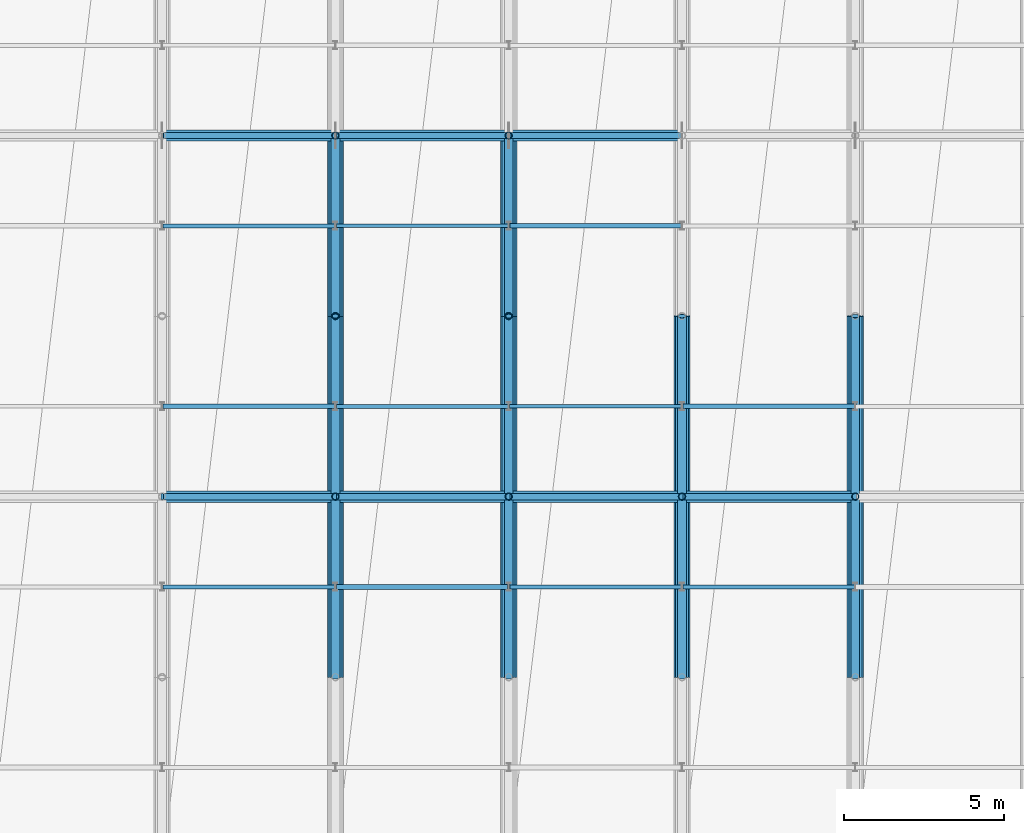
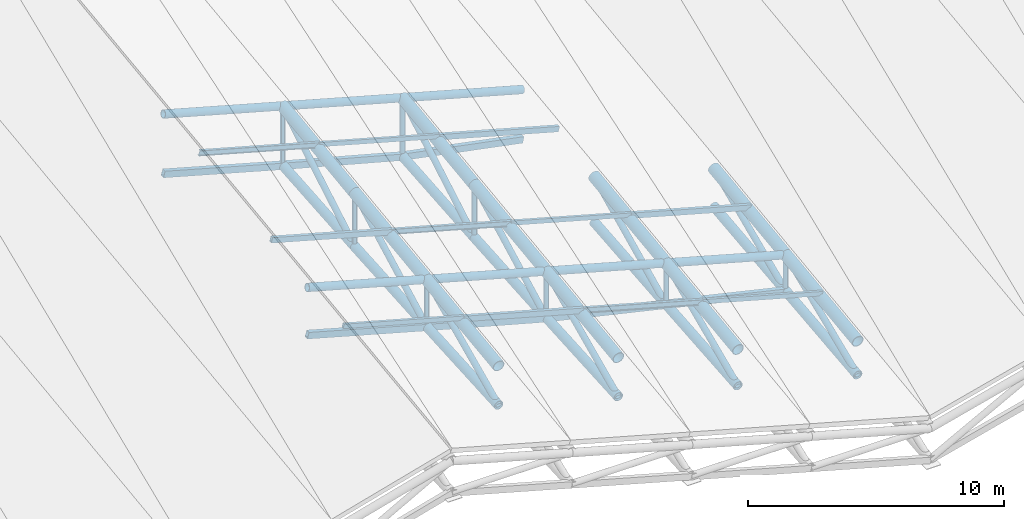
# One storey, part 5 of 109: 43 members, 20 beams.
"""IFC4 building model written with IfcOpenShell, lengths in metres."""

from ifc_helpers import new_model, si_unit, direction, frame, origin, origin_2d, place, context, subcontext, project, spatial, hollow_rectangle, hollow_circle, i_section, extrude, material, material_profile, profile_set, type_object, element, save


model = new_model("IFC4")

# Units and contexts
model_context = context("Model", 3, precision=1e-05, world=origin(), true_north=direction((0.0, 1.0)))
body_context = subcontext(model_context, "Body", "Model", "MODEL_VIEW")
ifc_project = project(units=[si_unit("LENGTHUNIT", "METRE"), si_unit("AREAUNIT", "SQUARE_METRE"), si_unit("VOLUMEUNIT", "CUBIC_METRE"), si_unit("PLANEANGLEUNIT", "RADIAN"), si_unit("MASSUNIT", "GRAM", prefix="KILO")], contexts=[model_context])

# Site, building, storey
site_placement = place(None, origin())
site = spatial("IfcSite", under=ifc_project, at=site_placement, CompositionType="ELEMENT")
building_placement = place(site_placement, origin())
building = spatial("IfcBuilding", under=site, at=building_placement, Name="Suirenkawa Promenade Aquatics Centre", CompositionType="ELEMENT")
storey_placement = place(building_placement, frame((0.0, 0.0, 22.800048828125)))
storey = spatial("IfcBuildingStorey", under=building, at=storey_placement, Name="ROOF", CompositionType="ELEMENT", Elevation=22.800048828125)

# Beams
ifc_material = material(Name="Steel IS 2062 E350 (Grade 350)", Category="steel")
ifc_material_profile_1 = material_profile(ifc_material, hollow_circle(Radius=0.202880859375, WallThickness=0.01806640625, at=origin_2d()), Name="CHS 406x18", Category="steel")
ifc_profile_set_1 = profile_set([ifc_material_profile_1], Name="Steel IS 2062 E350 (Grade 350)")
beam_type_1 = type_object("IfcBeamType", Name="BT-BC-CHS406", PredefinedType="BEAM", material=ifc_profile_set_1)
beam_1_placement = place(storey_placement, frame((73.800048828125, 56.02490234375, -11.649169921875), z_axis=(0.0, 0.998011917431, 0.063025492182), x_axis=(-1.0, 0.0, 0.0)))
element("IfcBeam", 1, at=beam_1_placement, inside=storey, type_object=beam_type_1, Name="ROOF TRUSS V1 bottom chord BC-01 BM-1950", PredefinedType="BEAM", context=body_context, shape_type="SweptSolid", body=[
    extrude(hollow_circle(Radius=0.202880859375, WallThickness=0.01806640625, at=origin_2d()), origin(), (0.0, 0.0, 1.0), 5.63623046875),
])
beam_2_placement = place(storey_placement, frame((73.800048828125, 61.64990234375, -11.2939453125), z_axis=(0.0, 0.997470114587, 0.071087062854), x_axis=(-1.0, 0.0, 0.0)))
element("IfcBeam", 2, at=beam_2_placement, inside=storey, type_object=beam_type_1, Name="ROOF TRUSS V1 bottom chord BC-01 BM-1952", PredefinedType="BEAM", context=body_context, shape_type="SweptSolid", body=[
    extrude(hollow_circle(Radius=0.202880859375, WallThickness=0.01806640625, at=origin_2d()), origin(), (0.0, 0.0, 1.0), 5.63916015625),
])
beam_3_placement = place(storey_placement, frame((73.800048828125, 67.27490234375, -10.89306640625), z_axis=(0.0, 0.996585022784, 0.082572951758), x_axis=(-1.0, 0.0, 0.0)))
element("IfcBeam", 3, at=beam_3_placement, inside=storey, type_object=beam_type_1, Name="ROOF TRUSS V1 bottom chord BC-01 BM-1954", PredefinedType="BEAM", context=body_context, shape_type="SweptSolid", body=[
    extrude(hollow_circle(Radius=0.202880859375, WallThickness=0.01806640625, at=origin_2d()), origin(), (0.0, 0.0, 1.0), 5.644287109375),
])
beam_4_placement = place(storey_placement, frame((79.199951171875, 56.02490234375, -13.135009765625), z_axis=(0.0, 0.997879005221, 0.065096013231), x_axis=(-1.0, 0.0, 0.0)))
element("IfcBeam", 4, at=beam_4_placement, inside=storey, type_object=beam_type_1, Name="ROOF TRUSS V1 bottom chord BC-01 BM-1978", PredefinedType="BEAM", context=body_context, shape_type="SweptSolid", body=[
    extrude(hollow_circle(Radius=0.202880859375, WallThickness=0.01806640625, at=origin_2d()), origin(), (0.0, 0.0, 1.0), 5.636962890625),
])
beam_5_placement = place(storey_placement, frame((79.199951171875, 61.64990234375, -12.76806640625), z_axis=(0.0, 0.997326957355, 0.07306805139), x_axis=(-1.0, 0.0, 0.0)))
element("IfcBeam", 5, at=beam_5_placement, inside=storey, type_object=beam_type_1, Name="ROOF TRUSS V1 bottom chord BC-01 BM-1980", PredefinedType="BEAM", context=body_context, shape_type="SweptSolid", body=[
    extrude(hollow_circle(Radius=0.202880859375, WallThickness=0.01806640625, at=origin_2d()), origin(), (0.0, 0.0, 1.0), 5.64013671875),
])
beam_6_placement = place(storey_placement, frame((79.199951171875, 67.27490234375, -12.35595703125), z_axis=(0.0, 0.996455699182, 0.084119198564), x_axis=(-1.0, 0.0, 0.0)))
element("IfcBeam", 6, at=beam_6_placement, inside=storey, type_object=beam_type_1, Name="ROOF TRUSS V1 bottom chord BC-01 BM-1982", PredefinedType="BEAM", context=body_context, shape_type="SweptSolid", body=[
    extrude(hollow_circle(Radius=0.202880859375, WallThickness=0.01806640625, at=origin_2d()), origin(), (0.0, 0.0, 1.0), 5.64501953125),
])
beam_7_placement = place(storey_placement, frame((84.60009765625, 56.02490234375, -14.508056640625), z_axis=(0.0, 0.996257281682, 0.086437426479), x_axis=(-1.0, 0.0, 0.0)))
element("IfcBeam", 7, at=beam_7_placement, inside=storey, type_object=beam_type_1, Name="ROOF TRUSS V1 bottom chord BC-01 BM-2006", PredefinedType="BEAM", context=body_context, shape_type="SweptSolid", body=[
    extrude(hollow_circle(Radius=0.202880859375, WallThickness=0.01806640625, at=origin_2d()), origin(), (0.0, 0.0, 1.0), 5.646240234375),
])
beam_8_placement = place(storey_placement, frame((84.60009765625, 61.64990234375, -14.02001953125), z_axis=(0.0, 0.99580129814, 0.091541108918), x_axis=(-1.0, 0.0, 0.0)))
element("IfcBeam", 8, at=beam_8_placement, inside=storey, type_object=beam_type_1, Name="ROOF TRUSS V1 bottom chord BC-01 BM-2008", PredefinedType="BEAM", context=body_context, shape_type="SweptSolid", body=[
    extrude(hollow_circle(Radius=0.202880859375, WallThickness=0.01806640625, at=origin_2d()), origin(), (0.0, 0.0, 1.0), 5.648681640625),
])
beam_9_placement = place(storey_placement, frame((90.0, 56.02490234375, -15.880126953125), z_axis=(0.0, 0.99422460669, 0.107319296738), x_axis=(-1.0, 0.0, 0.0)))
element("IfcBeam", 9, at=beam_9_placement, inside=storey, type_object=beam_type_1, Name="ROOF TRUSS V1 bottom chord BC-01 BM-2034", PredefinedType="BEAM", context=body_context, shape_type="SweptSolid", body=[
    extrude(hollow_circle(Radius=0.202880859375, WallThickness=0.01806640625, at=origin_2d()), origin(), (0.0, 0.0, 1.0), 5.65771484375),
])
beam_10_placement = place(storey_placement, frame((90.0, 61.64990234375, -15.27294921875), z_axis=(0.0, 0.993945133668, 0.109877528448), x_axis=(-1.0, 0.0, 0.0)))
element("IfcBeam", 10, at=beam_10_placement, inside=storey, type_object=beam_type_1, Name="ROOF TRUSS V1 bottom chord BC-01 BM-2036", PredefinedType="BEAM", context=body_context, shape_type="SweptSolid", body=[
    extrude(hollow_circle(Radius=0.202880859375, WallThickness=0.01806640625, at=origin_2d()), origin(), (0.0, 0.0, 1.0), 5.6591796875),
])
ifc_material_profile_2 = material_profile(ifc_material, hollow_circle(Radius=0.25390625, WallThickness=0.02392578125, at=origin_2d()), Name="CHS 508x24", Category="steel")
ifc_profile_set_2 = profile_set([ifc_material_profile_2], Name="Steel IS 2062 E350 (Grade 350)")
beam_type_2 = type_object("IfcBeamType", Name="BT-TC-CHS508", PredefinedType="BEAM", material=ifc_profile_set_2)
for number, where, z_axis, x_axis, name in (
    (11, (73.800048828125, 56.02490234375, -9.775146484375), (0.0, 0.991793720609, 0.127848409297), (-1.0, 0.0, 0.0), "ROOF TRUSS V1 top chord TC-02 BM-1949"),
    (12, (73.800048828125, 61.64990234375, -9.050048828125), (0.0, 0.991793720609, 0.127848409297), (-1.0, 0.0, 0.0), "ROOF TRUSS V1 top chord TC-02 BM-1951"),
    (13, (73.800048828125, 67.27490234375, -8.324951171875), (0.0, 0.991799178012, 0.127806065951), (-1.0, 0.0, 0.0), "ROOF TRUSS V1 top chord TC-02 BM-1953"),
    (14, (79.199951171875, 56.02490234375, -11.275146484375), (0.0, 0.991793720609, 0.127848409297), (-1.0, 0.0, 0.0), "ROOF TRUSS V1 top chord TC-02 BM-1977"),
    (15, (79.199951171875, 61.64990234375, -10.550048828125), (0.0, 0.991793720609, 0.127848409297), (-1.0, 0.0, 0.0), "ROOF TRUSS V1 top chord TC-02 BM-1979"),
    (16, (79.199951171875, 67.27490234375, -9.824951171875), (0.0, 0.991799178012, 0.127806065951), (-1.0, 0.0, 0.0), "ROOF TRUSS V1 top chord TC-02 BM-1981"),
    (17, (84.60009765625, 56.02490234375, -12.775146484375), (0.0, 0.991793720609, 0.127848409297), (-1.0, 0.0, 0.0), "ROOF TRUSS V1 top chord TC-02 BM-2005"),
    (18, (84.60009765625, 61.64990234375, -12.050048828125), (0.0, 0.991793720609, 0.127848409297), (-1.0, 0.0, 0.0), "ROOF TRUSS V1 top chord TC-02 BM-2007"),
    (19, (90.0, 56.02490234375, -14.275146484375), (0.0, 0.991793720609, 0.127848409297), (-1.0, 0.0, 0.0), "ROOF TRUSS V1 top chord TC-02 BM-2033"),
    (20, (90.0, 61.64990234375, -13.550048828125), (0.0, 0.991793720609, 0.127848409297), (-1.0, 0.0, 0.0), "ROOF TRUSS V1 top chord TC-02 BM-2035"),
):
    element("IfcBeam", number, at=place(storey_placement, frame(where, z_axis=z_axis, x_axis=x_axis)), inside=storey, type_object=beam_type_2, Name=name, PredefinedType="BEAM", context=body_context, shape_type="SweptSolid", body=[
        extrude(hollow_circle(Radius=0.25390625, WallThickness=0.02392578125, at=origin_2d()), origin(), (0.0, 0.0, 1.0), 5.671630859375),
    ])

# Members
ifc_material_profile_3 = material_profile(ifc_material, hollow_circle(Radius=0.177978515625, WallThickness=0.01611328125, at=origin_2d()), Name="CHS 356x16", Category="steel")
ifc_profile_set_3 = profile_set([ifc_material_profile_3], Name="Steel IS 2062 E350 (Grade 350)")
member_type_1 = type_object("IfcMemberType", Name="MT-CHORD-CHS356", PredefinedType="CHORD", material=ifc_profile_set_3)
member_1_placement = place(storey_placement, frame((68.39990234375, 61.64990234375, -7.550048828125), z_axis=(0.963519781844, 0.0, -0.267637123724), x_axis=(0.0, 1.0, 0.0)))
element("IfcMember", 21, at=member_1_placement, inside=storey, type_object=member_type_1, Name="ROOF TRUSS V1 tie chord CH-02 MB-0696", PredefinedType="CHORD", context=body_context, shape_type="SweptSolid", body=[
    extrude(hollow_circle(Radius=0.177978515625, WallThickness=0.01611328125, at=origin_2d()), origin(), (0.0, 0.0, 1.0), 5.6044921875),
])
member_2_placement = place(storey_placement, frame((73.800048828125, 61.64990234375, -9.050048828125), z_axis=(0.963516661409, 0.0, -0.267648357342), x_axis=(0.0, 1.0, 0.0)))
element("IfcMember", 22, at=member_2_placement, inside=storey, type_object=member_type_1, Name="ROOF TRUSS V1 tie chord CH-02 MB-0698", PredefinedType="CHORD", context=body_context, shape_type="SweptSolid", body=[
    extrude(hollow_circle(Radius=0.177978515625, WallThickness=0.01611328125, at=origin_2d()), origin(), (0.0, 0.0, 1.0), 5.604248046875),
])
member_3_placement = place(storey_placement, frame((79.199951171875, 61.64990234375, -10.550048828125), z_axis=(0.963519781844, 0.0, -0.267637123724), x_axis=(0.0, 1.0, 0.0)))
element("IfcMember", 23, at=member_3_placement, inside=storey, type_object=member_type_1, Name="ROOF TRUSS V1 tie chord CH-02 MB-0700", PredefinedType="CHORD", context=body_context, shape_type="SweptSolid", body=[
    extrude(hollow_circle(Radius=0.177978515625, WallThickness=0.01611328125, at=origin_2d()), origin(), (0.0, 0.0, 1.0), 5.6044921875),
])
member_4_placement = place(storey_placement, frame((84.60009765625, 61.64990234375, -12.050048828125), z_axis=(0.963516661409, 0.0, -0.267648357342), x_axis=(0.0, 1.0, 0.0)))
element("IfcMember", 24, at=member_4_placement, inside=storey, type_object=member_type_1, Name="ROOF TRUSS V1 tie chord CH-02 MB-0702", PredefinedType="CHORD", context=body_context, shape_type="SweptSolid", body=[
    extrude(hollow_circle(Radius=0.177978515625, WallThickness=0.01611328125, at=origin_2d()), origin(), (0.0, 0.0, 1.0), 5.604248046875),
])
member_5_placement = place(storey_placement, frame((68.39990234375, 72.89990234375, -6.10009765625), z_axis=(0.963519781844, 0.0, -0.267637123724), x_axis=(0.0, 1.0, 0.0)))
element("IfcMember", 25, at=member_5_placement, inside=storey, type_object=member_type_1, Name="ROOF TRUSS V1 tie chord CH-02 MB-0736", PredefinedType="CHORD", context=body_context, shape_type="SweptSolid", body=[
    extrude(hollow_circle(Radius=0.177978515625, WallThickness=0.01611328125, at=origin_2d()), origin(), (0.0, 0.0, 1.0), 5.6044921875),
])
member_6_placement = place(storey_placement, frame((73.800048828125, 72.89990234375, -7.60009765625), z_axis=(0.963516661409, 0.0, -0.267648357342), x_axis=(0.0, 1.0, 0.0)))
element("IfcMember", 26, at=member_6_placement, inside=storey, type_object=member_type_1, Name="ROOF TRUSS V1 tie chord CH-02 MB-0738", PredefinedType="CHORD", context=body_context, shape_type="SweptSolid", body=[
    extrude(hollow_circle(Radius=0.177978515625, WallThickness=0.01611328125, at=origin_2d()), origin(), (0.0, 0.0, 1.0), 5.604248046875),
])
member_7_placement = place(storey_placement, frame((79.199951171875, 72.89990234375, -9.10009765625), z_axis=(0.963519781844, 0.0, -0.267637123724), x_axis=(0.0, 1.0, 0.0)))
element("IfcMember", 27, at=member_7_placement, inside=storey, type_object=member_type_1, Name="ROOF TRUSS V1 tie chord CH-02 MB-0740", PredefinedType="CHORD", context=body_context, shape_type="SweptSolid", body=[
    extrude(hollow_circle(Radius=0.177978515625, WallThickness=0.01611328125, at=origin_2d()), origin(), (0.0, 0.0, 1.0), 5.6044921875),
])
ifc_material_profile_4 = material_profile(ifc_material, hollow_rectangle(XDim=0.199951171875, YDim=0.300048828125, WallThickness=0.011962890625, at=origin_2d()), Name="RHS 300x200x12", Category="steel")
ifc_profile_set_4 = profile_set([ifc_material_profile_4], Name="Steel IS 2062 E350 (Grade 350)")
member_type_2 = type_object("IfcMemberType", Name="MT-CHORD-RHS300", PredefinedType="CHORD", material=ifc_profile_set_4)
member_8_placement = place(storey_placement, frame((68.39990234375, 61.64990234375, -9.7939453125), z_axis=(0.963519781844, 0.0, -0.267637123724), x_axis=(0.0, 1.0, 0.0)))
element("IfcMember", 28, at=member_8_placement, inside=storey, type_object=member_type_2, Name="ROOF TRUSS V1 bottom tie CH-03 MB-0697", PredefinedType="CHORD", context=body_context, shape_type="SweptSolid", body=[
    extrude(hollow_rectangle(XDim=0.199951171875, YDim=0.300048828125, WallThickness=0.011962890625, at=origin_2d()), origin(), (0.0, 0.0, 1.0), 5.6044921875),
])
member_9_placement = place(storey_placement, frame((73.800048828125, 61.64990234375, -11.2939453125), z_axis=(0.964699374801, 0.0, -0.26335359549), x_axis=(0.0, 1.0, 0.0)))
element("IfcMember", 29, at=member_9_placement, inside=storey, type_object=member_type_2, Name="ROOF TRUSS V1 bottom tie CH-03 MB-0699", PredefinedType="CHORD", context=body_context, shape_type="SweptSolid", body=[
    extrude(hollow_rectangle(XDim=0.199951171875, YDim=0.300048828125, WallThickness=0.011962890625, at=origin_2d()), origin(), (0.0, 0.0, 1.0), 5.597412109375),
])
for number, where, z_axis, x_axis, name in (
    (30, (79.199951171875, 61.64990234375, -12.76806640625), (0.974162815598, 0.0, -0.225846870039), (0.0, 1.0, 0.0), "ROOF TRUSS V1 bottom tie CH-03 MB-0701"),
    (31, (84.60009765625, 61.64990234375, -14.02001953125), (0.974121794056, 0.0, -0.226023738453), (0.0, 1.0, 0.0), "ROOF TRUSS V1 bottom tie CH-03 MB-0703"),
):
    element("IfcMember", number, at=place(storey_placement, frame(where, z_axis=z_axis, x_axis=x_axis)), inside=storey, type_object=member_type_2, Name=name, PredefinedType="CHORD", context=body_context, shape_type="SweptSolid", body=[
        extrude(hollow_rectangle(XDim=0.199951171875, YDim=0.300048828125, WallThickness=0.011962890625, at=origin_2d()), origin(), (0.0, 0.0, 1.0), 5.54345703125),
    ])
member_10_placement = place(storey_placement, frame((68.39990234375, 72.89990234375, -8.927001953125), z_axis=(0.963519781844, 0.0, -0.267637123724), x_axis=(0.0, 1.0, 0.0)))
element("IfcMember", 32, at=member_10_placement, inside=storey, type_object=member_type_2, Name="ROOF TRUSS V1 bottom tie CH-03 MB-0737", PredefinedType="CHORD", context=body_context, shape_type="SweptSolid", body=[
    extrude(hollow_rectangle(XDim=0.199951171875, YDim=0.300048828125, WallThickness=0.011962890625, at=origin_2d()), origin(), (0.0, 0.0, 1.0), 5.6044921875),
])
member_11_placement = place(storey_placement, frame((73.800048828125, 72.89990234375, -10.427001953125), z_axis=(0.965603111934, 0.0, -0.260020441933), x_axis=(0.0, 1.0, 0.0)))
element("IfcMember", 33, at=member_11_placement, inside=storey, type_object=member_type_2, Name="ROOF TRUSS V1 bottom tie CH-03 MB-0739", PredefinedType="CHORD", context=body_context, shape_type="SweptSolid", body=[
    extrude(hollow_rectangle(XDim=0.199951171875, YDim=0.300048828125, WallThickness=0.011962890625, at=origin_2d()), origin(), (0.0, 0.0, 1.0), 5.59228515625),
])
member_12_placement = place(storey_placement, frame((79.199951171875, 72.89990234375, -11.881103515625), z_axis=(0.981137949397, 0.0, -0.193308883018), x_axis=(0.0, 1.0, 0.0)))
element("IfcMember", 34, at=member_12_placement, inside=storey, type_object=member_type_2, Name="ROOF TRUSS V1 bottom tie CH-03 MB-0741", PredefinedType="CHORD", context=body_context, shape_type="SweptSolid", body=[
    extrude(hollow_rectangle(XDim=0.199951171875, YDim=0.300048828125, WallThickness=0.011962890625, at=origin_2d()), origin(), (0.0, 0.0, 1.0), 5.50390625),
])
ifc_material_profile_5 = material_profile(ifc_material, i_section(OverallWidth=0.125, OverallDepth=0.25, WebThickness=0.007080078125, FlangeThickness=0.012939453125, at=origin_2d()), Name="ISMB 250", Category="steel")
ifc_profile_set_5 = profile_set([ifc_material_profile_5], Name="Steel IS 2062 E350 (Grade 350)")
member_type_3 = type_object("IfcMemberType", Name="MT-PURLIN-ISMB250", PredefinedType="PURLIN", material=ifc_profile_set_5)
for number, where, z_axis, x_axis, name in (
    (35, (68.39990234375, 70.087890625, -6.241943359375), (0.963564703019, 0.0, -0.267475350447), (0.0, 1.0, 0.0), "ROOF TRUSS Roof purlin PU-04 MB-1839"),
    (36, (73.800048828125, 64.462890625, -8.466064453125), (0.963516661409, 0.0, -0.267648357342), (0.0, 1.0, 0.0), "ROOF TRUSS Roof purlin PU-04 MB-1873"),
):
    element("IfcMember", number, at=place(storey_placement, frame(where, z_axis=z_axis, x_axis=x_axis)), inside=storey, type_object=member_type_3, Name=name, PredefinedType="PURLIN", context=body_context, shape_type="SweptSolid", body=[
        extrude(i_section(OverallWidth=0.125, OverallDepth=0.25, WebThickness=0.007080078125, FlangeThickness=0.012939453125, at=origin_2d()), origin(), (0.0, 0.0, 1.0), 5.604248046875),
    ])
member_13_placement = place(storey_placement, frame((79.199951171875, 58.8369140625, -10.692138671875), z_axis=(0.963519781844, 0.0, -0.267637123724), x_axis=(0.0, 1.0, 0.0)))
element("IfcMember", 37, at=member_13_placement, inside=storey, type_object=member_type_3, Name="ROOF TRUSS Roof purlin PU-04 MB-1907", PredefinedType="PURLIN", context=body_context, shape_type="SweptSolid", body=[
    extrude(i_section(OverallWidth=0.125, OverallDepth=0.25, WebThickness=0.007080078125, FlangeThickness=0.012939453125, at=origin_2d()), origin(), (0.0, 0.0, 1.0), 5.6044921875),
])
ifc_material_profile_6 = material_profile(ifc_material, hollow_rectangle(XDim=0.1201171875, YDim=0.199951171875, WallThickness=0.008056640625, at=origin_2d()), Name="RHS 200x120x8", Category="steel")
ifc_profile_set_6 = profile_set([ifc_material_profile_6], Name="Steel IS 2062 E350 (Grade 350)")
member_type_4 = type_object("IfcMemberType", Name="MT-PURLIN-RHS200", PredefinedType="PURLIN", material=ifc_profile_set_6)
member_14_placement = place(storey_placement, frame((68.39990234375, 58.8369140625, -7.666015625), z_axis=(0.963519781844, 0.0, -0.267637123724), x_axis=(0.0, 1.0, 0.0)))
element("IfcMember", 38, at=member_14_placement, inside=storey, type_object=member_type_4, Name="ROOF TRUSS Roof purlin PU-02 MB-1835", PredefinedType="PURLIN", context=body_context, shape_type="SweptSolid", body=[
    extrude(hollow_rectangle(XDim=0.1201171875, YDim=0.199951171875, WallThickness=0.008056640625, at=origin_2d()), origin(), (0.0, 0.0, 1.0), 5.6044921875),
])
member_15_placement = place(storey_placement, frame((73.800048828125, 70.087890625, -7.716064453125), z_axis=(0.963516661409, 0.0, -0.267648357342), x_axis=(0.0, 1.0, 0.0)))
element("IfcMember", 39, at=member_15_placement, inside=storey, type_object=member_type_4, Name="ROOF TRUSS Roof purlin PU-02 MB-1875", PredefinedType="PURLIN", context=body_context, shape_type="SweptSolid", body=[
    extrude(hollow_rectangle(XDim=0.1201171875, YDim=0.199951171875, WallThickness=0.008056640625, at=origin_2d()), origin(), (0.0, 0.0, 1.0), 5.604248046875),
])
member_16_placement = place(storey_placement, frame((79.199951171875, 64.462890625, -9.941162109375), z_axis=(0.963519781844, 0.0, -0.267637123724), x_axis=(0.0, 1.0, 0.0)))
element("IfcMember", 40, at=member_16_placement, inside=storey, type_object=member_type_4, Name="ROOF TRUSS Roof purlin PU-02 MB-1909", PredefinedType="PURLIN", context=body_context, shape_type="SweptSolid", body=[
    extrude(hollow_rectangle(XDim=0.1201171875, YDim=0.199951171875, WallThickness=0.008056640625, at=origin_2d()), origin(), (0.0, 0.0, 1.0), 5.6044921875),
])
member_17_placement = place(storey_placement, frame((84.60009765625, 58.8369140625, -12.166015625), z_axis=(0.963516661409, 0.0, -0.267648357342), x_axis=(0.0, 1.0, 0.0)))
element("IfcMember", 41, at=member_17_placement, inside=storey, type_object=member_type_4, Name="ROOF TRUSS Roof purlin PU-02 MB-1943", PredefinedType="PURLIN", context=body_context, shape_type="SweptSolid", body=[
    extrude(hollow_rectangle(XDim=0.1201171875, YDim=0.199951171875, WallThickness=0.008056640625, at=origin_2d()), origin(), (0.0, 0.0, 1.0), 5.604248046875),
])
ifc_material_profile_7 = material_profile(ifc_material, hollow_rectangle(XDim=0.14990234375, YDim=0.25, WallThickness=0.010009765625, at=origin_2d()), Name="RHS 250x150x10", Category="steel")
ifc_profile_set_7 = profile_set([ifc_material_profile_7], Name="Steel IS 2062 E350 (Grade 350)")
member_type_5 = type_object("IfcMemberType", Name="MT-PURLIN-RHS250", PredefinedType="PURLIN", material=ifc_profile_set_7)
member_18_placement = place(storey_placement, frame((68.39990234375, 64.462890625, -6.968017578125), z_axis=(0.963519781844, 0.0, -0.267637123724), x_axis=(0.0, 1.0, 0.0)))
element("IfcMember", 42, at=member_18_placement, inside=storey, type_object=member_type_5, Name="ROOF TRUSS Roof purlin PU-03 MB-1837", PredefinedType="PURLIN", context=body_context, shape_type="SweptSolid", body=[
    extrude(hollow_rectangle(XDim=0.14990234375, YDim=0.25, WallThickness=0.010009765625, at=origin_2d()), origin(), (0.0, 0.0, 1.0), 5.6044921875),
])
member_19_placement = place(storey_placement, frame((73.800048828125, 58.8369140625, -9.193115234375), z_axis=(0.963516661409, 0.0, -0.267648357342), x_axis=(0.0, 1.0, 0.0)))
element("IfcMember", 43, at=member_19_placement, inside=storey, type_object=member_type_5, Name="ROOF TRUSS Roof purlin PU-03 MB-1871", PredefinedType="PURLIN", context=body_context, shape_type="SweptSolid", body=[
    extrude(hollow_rectangle(XDim=0.14990234375, YDim=0.25, WallThickness=0.010009765625, at=origin_2d()), origin(), (0.0, 0.0, 1.0), 5.604248046875),
])
member_20_placement = place(storey_placement, frame((79.199951171875, 70.087890625, -9.2431640625), z_axis=(0.963519781844, 0.0, -0.267637123724), x_axis=(0.0, 1.0, 0.0)))
element("IfcMember", 44, at=member_20_placement, inside=storey, type_object=member_type_5, Name="ROOF TRUSS Roof purlin PU-03 MB-1911", PredefinedType="PURLIN", context=body_context, shape_type="SweptSolid", body=[
    extrude(hollow_rectangle(XDim=0.14990234375, YDim=0.25, WallThickness=0.010009765625, at=origin_2d()), origin(), (0.0, 0.0, 1.0), 5.6044921875),
])
member_21_placement = place(storey_placement, frame((84.60009765625, 64.462890625, -11.468017578125), z_axis=(0.963516661409, 0.0, -0.267648357342), x_axis=(0.0, 1.0, 0.0)))
element("IfcMember", 45, at=member_21_placement, inside=storey, type_object=member_type_5, Name="ROOF TRUSS Roof purlin PU-03 MB-1945", PredefinedType="PURLIN", context=body_context, shape_type="SweptSolid", body=[
    extrude(hollow_rectangle(XDim=0.14990234375, YDim=0.25, WallThickness=0.010009765625, at=origin_2d()), origin(), (0.0, 0.0, 1.0), 5.604248046875),
])
ifc_material_profile_8 = material_profile(ifc_material, hollow_circle(Radius=0.110107421875, WallThickness=0.010009765625, at=origin_2d()), Name="CHS 220x10", Category="steel")
ifc_profile_set_8 = profile_set([ifc_material_profile_8], Name="Steel IS 2062 E350 (Grade 350)")
member_type_6 = type_object("IfcMemberType", Name="MT-WEB-CHS220", PredefinedType="BRACE", material=ifc_profile_set_8)
member_22_placement = place(storey_placement, frame((73.800048828125, 61.64990234375, -11.2939453125), z_axis=(0.0, 0.0, 1.0), x_axis=(1.0, 0.0, 0.0)))
element("IfcMember", 46, at=member_22_placement, inside=storey, type_object=member_type_6, Name="ROOF TRUSS V1 web post TD-01 MB-0151", PredefinedType="BRACE", context=body_context, shape_type="SweptSolid", body=[
    extrude(hollow_circle(Radius=0.110107421875, WallThickness=0.010009765625, at=origin_2d()), origin(), (0.0, 0.0, 1.0), 2.243896484375),
])
member_23_placement = place(storey_placement, frame((73.800048828125, 67.27490234375, -10.89306640625), z_axis=(0.0, 0.0, 1.0), x_axis=(1.0, 0.0, 0.0)))
element("IfcMember", 47, at=member_23_placement, inside=storey, type_object=member_type_6, Name="ROOF TRUSS V1 web post TD-01 MB-0152", PredefinedType="BRACE", context=body_context, shape_type="SweptSolid", body=[
    extrude(hollow_circle(Radius=0.110107421875, WallThickness=0.010009765625, at=origin_2d()), origin(), (0.0, 0.0, 1.0), 2.568115234375),
])
member_24_placement = place(storey_placement, frame((73.800048828125, 72.89990234375, -10.427001953125), z_axis=(0.0, 0.0, 1.0), x_axis=(1.0, 0.0, 0.0)))
element("IfcMember", 48, at=member_24_placement, inside=storey, type_object=member_type_6, Name="ROOF TRUSS V1 web post TD-01 MB-0153", PredefinedType="BRACE", context=body_context, shape_type="SweptSolid", body=[
    extrude(hollow_circle(Radius=0.110107421875, WallThickness=0.010009765625, at=origin_2d()), origin(), (0.0, 0.0, 1.0), 2.826904296875),
])
member_25_placement = place(storey_placement, frame((79.199951171875, 61.64990234375, -12.76806640625), z_axis=(0.0, 0.0, 1.0), x_axis=(1.0, 0.0, 0.0)))
element("IfcMember", 49, at=member_25_placement, inside=storey, type_object=member_type_6, Name="ROOF TRUSS V1 web post TD-01 MB-0178", PredefinedType="BRACE", context=body_context, shape_type="SweptSolid", body=[
    extrude(hollow_circle(Radius=0.110107421875, WallThickness=0.010009765625, at=origin_2d()), origin(), (0.0, 0.0, 1.0), 2.218017578125),
])
member_26_placement = place(storey_placement, frame((79.199951171875, 67.27490234375, -12.35595703125), z_axis=(0.0, 0.0, 1.0), x_axis=(1.0, 0.0, 0.0)))
element("IfcMember", 50, at=member_26_placement, inside=storey, type_object=member_type_6, Name="ROOF TRUSS V1 web post TD-01 MB-0179", PredefinedType="BRACE", context=body_context, shape_type="SweptSolid", body=[
    extrude(hollow_circle(Radius=0.110107421875, WallThickness=0.010009765625, at=origin_2d()), origin(), (0.0, 0.0, 1.0), 2.531005859375),
])
member_27_placement = place(storey_placement, frame((79.199951171875, 72.89990234375, -11.881103515625), z_axis=(0.0, 0.0, 1.0), x_axis=(1.0, 0.0, 0.0)))
element("IfcMember", 51, at=member_27_placement, inside=storey, type_object=member_type_6, Name="ROOF TRUSS V1 web post TD-01 MB-0180", PredefinedType="BRACE", context=body_context, shape_type="SweptSolid", body=[
    extrude(hollow_circle(Radius=0.110107421875, WallThickness=0.010009765625, at=origin_2d()), origin(), (0.0, 0.0, 1.0), 2.781005859375),
])
member_28_placement = place(storey_placement, frame((84.60009765625, 61.64990234375, -14.02001953125), z_axis=(0.0, 0.0, 1.0), x_axis=(1.0, 0.0, 0.0)))
element("IfcMember", 52, at=member_28_placement, inside=storey, type_object=member_type_6, Name="ROOF TRUSS V1 web post TD-01 MB-0205", PredefinedType="BRACE", context=body_context, shape_type="SweptSolid", body=[
    extrude(hollow_circle(Radius=0.110107421875, WallThickness=0.010009765625, at=origin_2d()), origin(), (0.0, 0.0, 1.0), 1.969970703125),
])
member_29_placement = place(storey_placement, frame((90.0, 61.64990234375, -15.27294921875), z_axis=(0.0, 0.0, 1.0), x_axis=(1.0, 0.0, 0.0)))
element("IfcMember", 53, at=member_29_placement, inside=storey, type_object=member_type_6, Name="ROOF TRUSS V1 web post TD-01 MB-0232", PredefinedType="BRACE", context=body_context, shape_type="SweptSolid", body=[
    extrude(hollow_circle(Radius=0.110107421875, WallThickness=0.010009765625, at=origin_2d()), origin(), (0.0, 0.0, 1.0), 1.722900390625),
])
ifc_material_profile_9 = material_profile(ifc_material, hollow_circle(Radius=0.136962890625, WallThickness=0.011962890625, at=origin_2d()), Name="CHS 274x12", Category="steel")
ifc_profile_set_9 = profile_set([ifc_material_profile_9], Name="Steel IS 2062 E350 (Grade 350)")
member_type_7 = type_object("IfcMemberType", Name="MT-WEB-CHS274", PredefinedType="BRACE", material=ifc_profile_set_9)
member_30_placement = place(storey_placement, frame((73.800048828125, 56.02490234375, -11.649169921875), z_axis=(0.0, 0.907777097484, 0.41945290711), x_axis=(-1.0, 0.0, 0.0)))
element("IfcMember", 54, at=member_30_placement, inside=storey, type_object=member_type_7, Name="ROOF TRUSS V1 web diagonal TD-02 MB-0137", PredefinedType="BRACE", context=body_context, shape_type="SweptSolid", body=[
    extrude(hollow_circle(Radius=0.136962890625, WallThickness=0.011962890625, at=origin_2d()), origin(), (0.0, 0.0, 1.0), 6.196533203125),
])
member_31_placement = place(storey_placement, frame((73.800048828125, 61.64990234375, -11.2939453125), z_axis=(0.0, 0.884368907617, 0.466788640865), x_axis=(-1.0, 0.0, 0.0)))
element("IfcMember", 55, at=member_31_placement, inside=storey, type_object=member_type_7, Name="ROOF TRUSS V1 web diagonal TD-02 MB-0138", PredefinedType="BRACE", context=body_context, shape_type="SweptSolid", body=[
    extrude(hollow_circle(Radius=0.136962890625, WallThickness=0.011962890625, at=origin_2d()), origin(), (0.0, 0.0, 1.0), 6.3603515625),
])
member_32_placement = place(storey_placement, frame((73.800048828125, 67.27490234375, -10.89306640625), z_axis=(0.0, 0.862995350533, 0.505211861458), x_axis=(-1.0, 0.0, 0.0)))
element("IfcMember", 56, at=member_32_placement, inside=storey, type_object=member_type_7, Name="ROOF TRUSS V1 web diagonal TD-02 MB-0139", PredefinedType="BRACE", context=body_context, shape_type="SweptSolid", body=[
    extrude(hollow_circle(Radius=0.136962890625, WallThickness=0.011962890625, at=origin_2d()), origin(), (0.0, 0.0, 1.0), 6.51806640625),
])
member_33_placement = place(storey_placement, frame((79.199951171875, 56.02490234375, -13.135009765625), z_axis=(0.0, 0.90864610954, 0.417567057631), x_axis=(-1.0, 0.0, 0.0)))
element("IfcMember", 57, at=member_33_placement, inside=storey, type_object=member_type_7, Name="ROOF TRUSS V1 web diagonal TD-02 MB-0164", PredefinedType="BRACE", context=body_context, shape_type="SweptSolid", body=[
    extrude(hollow_circle(Radius=0.136962890625, WallThickness=0.011962890625, at=origin_2d()), origin(), (0.0, 0.0, 1.0), 6.1904296875),
])
member_34_placement = place(storey_placement, frame((79.199951171875, 61.64990234375, -12.76806640625), z_axis=(0.0, 0.886045964174, 0.463597400092), x_axis=(-1.0, 0.0, 0.0)))
element("IfcMember", 58, at=member_34_placement, inside=storey, type_object=member_type_7, Name="ROOF TRUSS V1 web diagonal TD-02 MB-0165", PredefinedType="BRACE", context=body_context, shape_type="SweptSolid", body=[
    extrude(hollow_circle(Radius=0.136962890625, WallThickness=0.011962890625, at=origin_2d()), origin(), (0.0, 0.0, 1.0), 6.348388671875),
])
member_35_placement = place(storey_placement, frame((79.199951171875, 67.27490234375, -12.35595703125), z_axis=(0.0, 0.865474288597, 0.500953346907), x_axis=(-1.0, 0.0, 0.0)))
element("IfcMember", 59, at=member_35_placement, inside=storey, type_object=member_type_7, Name="ROOF TRUSS V1 web diagonal TD-02 MB-0166", PredefinedType="BRACE", context=body_context, shape_type="SweptSolid", body=[
    extrude(hollow_circle(Radius=0.136962890625, WallThickness=0.011962890625, at=origin_2d()), origin(), (0.0, 0.0, 1.0), 6.499267578125),
])
member_36_placement = place(storey_placement, frame((84.60009765625, 56.02490234375, -14.508056640625), z_axis=(0.0, 0.916332502177, 0.400418213191), x_axis=(-1.0, 0.0, 0.0)))
element("IfcMember", 60, at=member_36_placement, inside=storey, type_object=member_type_7, Name="ROOF TRUSS V1 web diagonal TD-02 MB-0191", PredefinedType="BRACE", context=body_context, shape_type="SweptSolid", body=[
    extrude(hollow_circle(Radius=0.136962890625, WallThickness=0.011962890625, at=origin_2d()), origin(), (0.0, 0.0, 1.0), 6.138671875),
])
member_37_placement = place(storey_placement, frame((84.60009765625, 61.64990234375, -14.02001953125), z_axis=(0.0, 0.901831281516, 0.432088347077), x_axis=(-1.0, 0.0, 0.0)))
element("IfcMember", 61, at=member_37_placement, inside=storey, type_object=member_type_7, Name="ROOF TRUSS V1 web diagonal TD-02 MB-0192", PredefinedType="BRACE", context=body_context, shape_type="SweptSolid", body=[
    extrude(hollow_circle(Radius=0.136962890625, WallThickness=0.011962890625, at=origin_2d()), origin(), (0.0, 0.0, 1.0), 6.2373046875),
])
member_38_placement = place(storey_placement, frame((90.0, 56.02490234375, -15.880126953125), z_axis=(0.0, 0.923872167062, 0.382701213648), x_axis=(-1.0, 0.0, 0.0)))
element("IfcMember", 62, at=member_38_placement, inside=storey, type_object=member_type_7, Name="ROOF TRUSS V1 web diagonal TD-02 MB-0218", PredefinedType="BRACE", context=body_context, shape_type="SweptSolid", body=[
    extrude(hollow_circle(Radius=0.136962890625, WallThickness=0.011962890625, at=origin_2d()), origin(), (0.0, 0.0, 1.0), 6.088623046875),
])
member_39_placement = place(storey_placement, frame((90.0, 61.64990234375, -15.27294921875), z_axis=(0.0, 0.916930171452, 0.399047692238), x_axis=(-1.0, 0.0, 0.0)))
element("IfcMember", 63, at=member_39_placement, inside=storey, type_object=member_type_7, Name="ROOF TRUSS V1 web diagonal TD-02 MB-0219", PredefinedType="BRACE", context=body_context, shape_type="SweptSolid", body=[
    extrude(hollow_circle(Radius=0.136962890625, WallThickness=0.011962890625, at=origin_2d()), origin(), (0.0, 0.0, 1.0), 6.134521484375),
])

save(model, "model.ifc")
